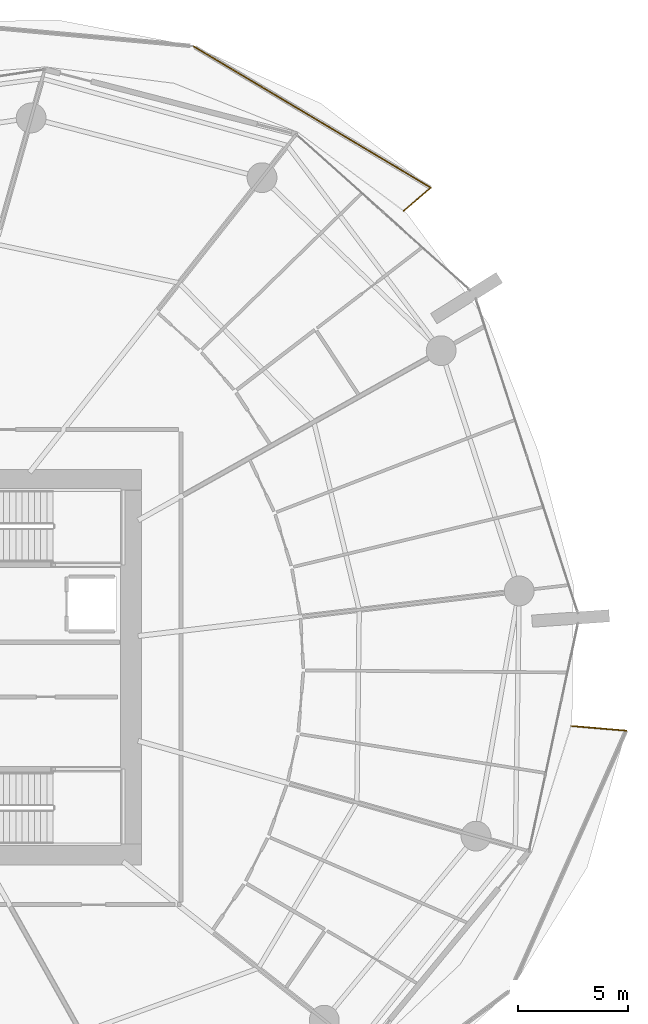
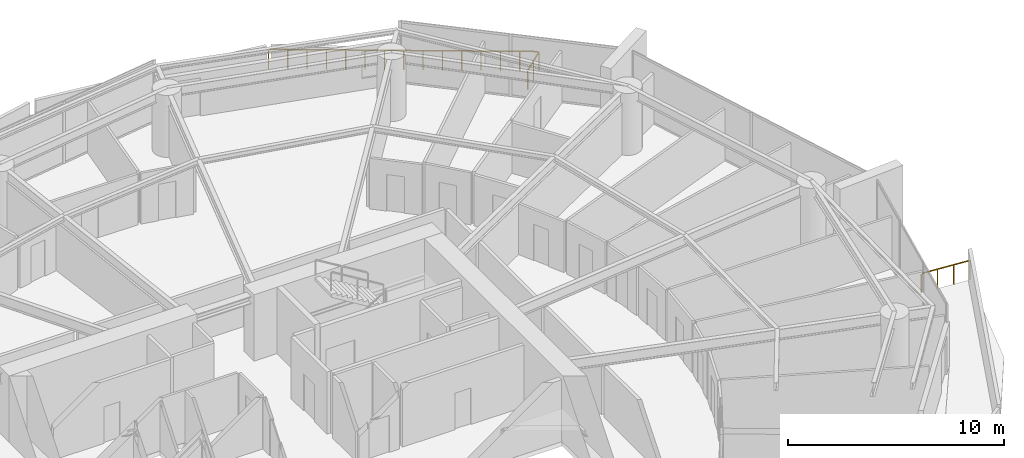
# One storey, part 31 of 31: 3 railings.
"""IFC4 building model written with IfcOpenShell, lengths in metres."""

from ifc_helpers import new_model, si_unit, direction, frame, origin, origin_2d, place, context, subcontext, project, spatial, rectangle, extrude, material, type_object, element, save


model = new_model("IFC4")

# Units and contexts
model_context = context("Model", 3, precision=1e-05, world=origin(), true_north=direction((0.0, 1.0)))
body_context = subcontext(model_context, "Body", "Model", "MODEL_VIEW")
ifc_project = project(units=[si_unit("LENGTHUNIT", "METRE"), si_unit("AREAUNIT", "SQUARE_METRE"), si_unit("VOLUMEUNIT", "CUBIC_METRE"), si_unit("PLANEANGLEUNIT", "RADIAN"), si_unit("MASSUNIT", "GRAM", prefix="KILO")], contexts=[model_context])

# Site, building, storey
site_placement = place(None, origin())
site = spatial("IfcSite", under=ifc_project, at=site_placement, CompositionType="ELEMENT")
building_placement = place(site_placement, origin())
building = spatial("IfcBuilding", under=site, at=building_placement, Name="Kazma Halo Residences", CompositionType="ELEMENT")
storey_placement = place(building_placement, frame((0.0, 0.0, 60.14990234375)))
storey = spatial("IfcBuildingStorey", under=building, at=storey_placement, Name="L14", CompositionType="ELEMENT", Elevation=60.14990234375)

# Railings
ifc_material = material(Name="Aluminium AW-6063 T6 Brushed Cap Rail", Category="aluminium")
railing_type = type_object("IfcRailingType", Name="RLG-BAL-CAP-1120", PredefinedType="BALUSTRADE", material=ifc_material)
railing_1_placement = place(storey_placement, frame((71.875732421875, 62.645263671875, 0.0)))
element("IfcRailing", 1, at=railing_1_placement, inside=storey, type_object=railing_type, Name="L14 NE wave balcony guard 1", PredefinedType="BALUSTRADE", context=body_context, shape_type="SweptSolid", body=[
    extrude(rectangle(XDim=0.050048828125, YDim=0.050048828125, at=origin_2d()), frame((0.0322265625, 0.02783203125, 1.09521484375), z_axis=(0.756387628106, 0.654123655013, 0.0), x_axis=(-0.654123655013, 0.756387628106, 0.0)), (0.0, 0.0, 1.0), 1.516845703125),
    extrude(rectangle(XDim=0.0400390625, YDim=0.0400390625, at=origin_2d()), origin(), (0.0, 0.0, 1.0), 1.05810546875),
    extrude(rectangle(XDim=0.0400390625, YDim=0.0400390625, at=origin_2d()), frame((0.60595703125, 0.52392578125, 0.0)), (0.0, 0.0, 1.0), 1.05810546875),
    extrude(rectangle(XDim=0.0400390625, YDim=0.0400390625, at=origin_2d()), frame((1.211669921875, 1.0478515625, 0.0)), (0.0, 0.0, 1.0), 1.05810546875),
])
railing_2_placement = place(storey_placement, frame((73.08740234375, 63.693115234375, 0.0)))
element("IfcRailing", 2, at=railing_2_placement, inside=storey, type_object=railing_type, Name="L14 NE wave balcony guard 2", PredefinedType="BALUSTRADE", context=body_context, shape_type="SweptSolid", body=[
    extrude(rectangle(XDim=0.050048828125, YDim=0.050048828125, at=origin_2d()), frame((-0.03662109375, 0.021728515625, 1.09521484375), z_axis=(-0.858858146073, 0.512213514975, 0.0), x_axis=(-0.512213514975, -0.858858146073, 0.0)), (0.0, 0.0, 1.0), 12.447265625),
    extrude(rectangle(XDim=0.0400390625, YDim=0.0400390625, at=origin_2d()), origin(), (0.0, 0.0, 1.0), 1.05810546875),
    extrude(rectangle(XDim=0.0400390625, YDim=0.0400390625, at=origin_2d()), frame((-0.768798828125, 0.45849609375, 0.0)), (0.0, 0.0, 1.0), 1.05810546875),
    extrude(rectangle(XDim=0.0400390625, YDim=0.0400390625, at=origin_2d()), frame((-1.53759765625, 0.9169921875, 0.0)), (0.0, 0.0, 1.0), 1.05810546875),
    extrude(rectangle(XDim=0.0400390625, YDim=0.0400390625, at=origin_2d()), frame((-2.306396484375, 1.37548828125, 0.0)), (0.0, 0.0, 1.0), 1.05810546875),
    extrude(rectangle(XDim=0.0400390625, YDim=0.0400390625, at=origin_2d()), frame((-3.0751953125, 1.833984375, 0.0)), (0.0, 0.0, 1.0), 1.05810546875),
    extrude(rectangle(XDim=0.0400390625, YDim=0.0400390625, at=origin_2d()), frame((-3.843994140625, 2.29248046875, 0.0)), (0.0, 0.0, 1.0), 1.05810546875),
    extrude(rectangle(XDim=0.0400390625, YDim=0.0400390625, at=origin_2d()), frame((-4.61279296875, 2.7509765625, 0.0)), (0.0, 0.0, 1.0), 1.05810546875),
    extrude(rectangle(XDim=0.0400390625, YDim=0.0400390625, at=origin_2d()), frame((-5.3818359375, 3.20947265625, 0.0)), (0.0, 0.0, 1.0), 1.05810546875),
    extrude(rectangle(XDim=0.0400390625, YDim=0.0400390625, at=origin_2d()), frame((-6.150634765625, 3.668212890625, 0.0)), (0.0, 0.0, 1.0), 1.05810546875),
    extrude(rectangle(XDim=0.0400390625, YDim=0.0400390625, at=origin_2d()), frame((-6.91943359375, 4.126708984375, 0.0)), (0.0, 0.0, 1.0), 1.05810546875),
    extrude(rectangle(XDim=0.0400390625, YDim=0.0400390625, at=origin_2d()), frame((-7.688232421875, 4.585205078125, 0.0)), (0.0, 0.0, 1.0), 1.05810546875),
    extrude(rectangle(XDim=0.0400390625, YDim=0.0400390625, at=origin_2d()), frame((-8.45703125, 5.043701171875, 0.0)), (0.0, 0.0, 1.0), 1.05810546875),
    extrude(rectangle(XDim=0.0400390625, YDim=0.0400390625, at=origin_2d()), frame((-9.225830078125, 5.502197265625, 0.0)), (0.0, 0.0, 1.0), 1.05810546875),
    extrude(rectangle(XDim=0.0400390625, YDim=0.0400390625, at=origin_2d()), frame((-9.99462890625, 5.960693359375, 0.0)), (0.0, 0.0, 1.0), 1.05810546875),
    extrude(rectangle(XDim=0.0400390625, YDim=0.0400390625, at=origin_2d()), frame((-10.763427734375, 6.419189453125, 0.0)), (0.0, 0.0, 1.0), 1.05810546875),
])
railing_3_placement = place(storey_placement, frame((81.93798828125, 39.120361328125, 0.0)))
element("IfcRailing", 3, at=railing_3_placement, inside=storey, type_object=railing_type, Name="L14 SE wave balcony guard 4", PredefinedType="BALUSTRADE", context=body_context, shape_type="SweptSolid", body=[
    extrude(rectangle(XDim=0.050048828125, YDim=0.050048828125, at=origin_2d()), frame((-0.04248046875, 0.003662109375, 1.09521484375), z_axis=(-0.996423281843, 0.084502327789, 0.0), x_axis=(-0.084502327789, -0.996423281843, 0.0)), (0.0, 0.0, 1.0), 2.4111328125),
    extrude(rectangle(XDim=0.0400390625, YDim=0.0400390625, at=origin_2d()), origin(), (0.0, 0.0, 1.0), 1.05810546875),
    extrude(rectangle(XDim=0.0400390625, YDim=0.0400390625, at=origin_2d()), frame((-0.8291015625, 0.0703125, 0.0)), (0.0, 0.0, 1.0), 1.05810546875),
    extrude(rectangle(XDim=0.0400390625, YDim=0.0400390625, at=origin_2d()), frame((-1.658203125, 0.140625, 0.0)), (0.0, 0.0, 1.0), 1.05810546875),
    extrude(rectangle(XDim=0.0400390625, YDim=0.0400390625, at=origin_2d()), frame((-2.4873046875, 0.2109375, 0.0)), (0.0, 0.0, 1.0), 1.05810546875),
])

save(model, "model.ifc")
